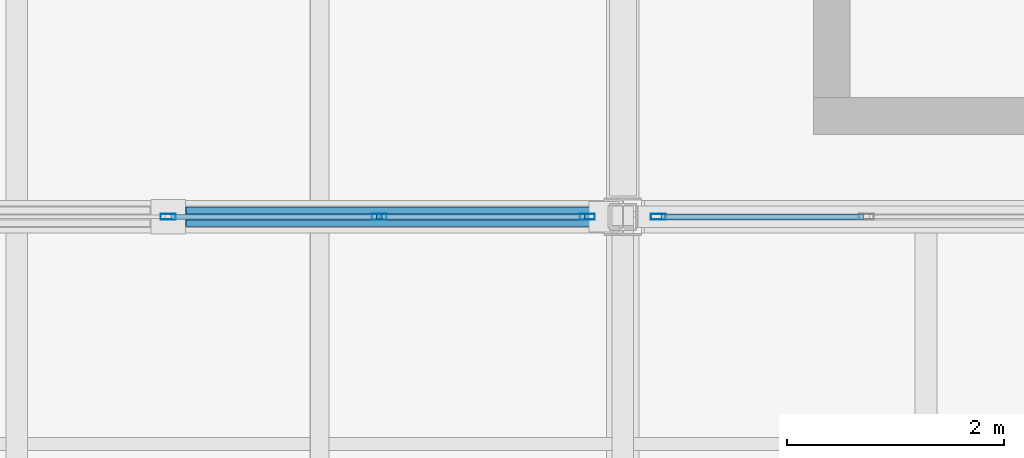
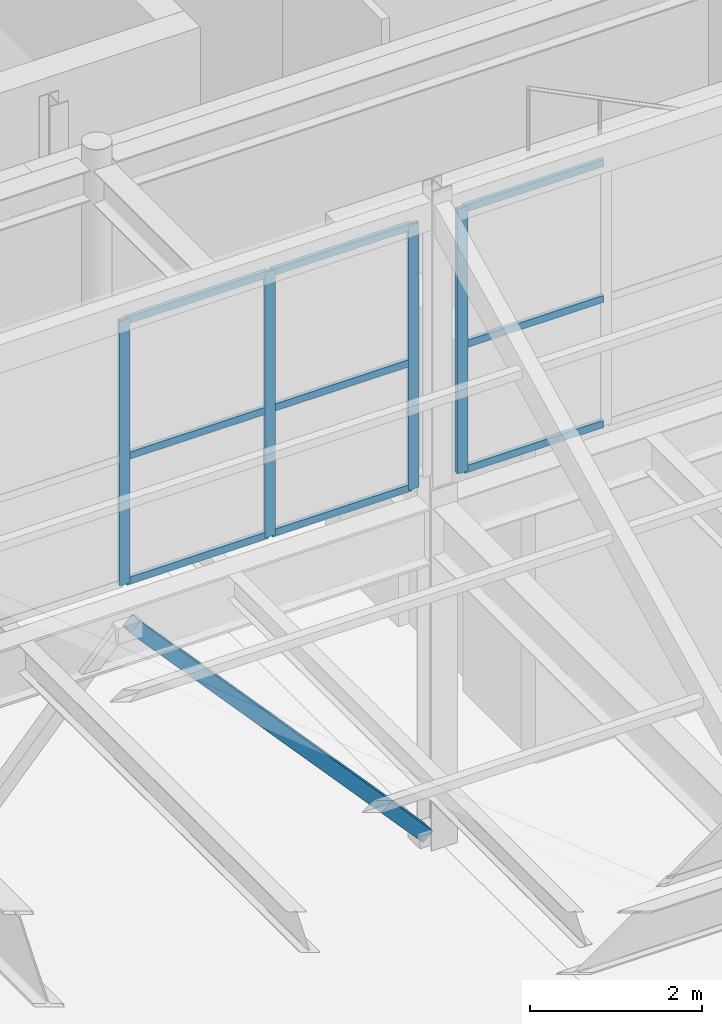
# One storey, part 34 of 91: 14 members, 2 elements without a shape of their own.
"""IFC4 building model written with IfcOpenShell, lengths in metres."""

from ifc_helpers import new_model, si_unit, direction, frame, origin, origin_2d, place, context, subcontext, project, spatial, hollow_rectangle, extrude, material, layer, layer_set, material_profile, profile_set, type_object, element, aggregate, save


model = new_model("IFC4")

# Units and contexts
model_context = context("Model", 3, precision=1e-05, world=origin(), true_north=direction((0.0, 1.0)))
body_context = subcontext(model_context, "Body", "Model", "MODEL_VIEW")
ifc_project = project(units=[si_unit("LENGTHUNIT", "METRE"), si_unit("AREAUNIT", "SQUARE_METRE"), si_unit("VOLUMEUNIT", "CUBIC_METRE"), si_unit("PLANEANGLEUNIT", "RADIAN"), si_unit("MASSUNIT", "GRAM", prefix="KILO"), si_unit("THERMODYNAMICTEMPERATUREUNIT", "KELVIN")], contexts=[model_context])

# Site, building, storey
site_placement = place(None, origin())
site = spatial("IfcSite", under=ifc_project, at=site_placement, CompositionType="ELEMENT")
building_placement = place(site_placement, origin())
building = spatial("IfcBuilding", under=site, at=building_placement, Name="Lustrewick Department Store", CompositionType="ELEMENT")
storey_placement = place(building_placement, frame((0.0, 0.0, 21.60009765625)))
storey = spatial("IfcBuildingStorey", under=building, at=storey_placement, Name="L05", CompositionType="ELEMENT", Elevation=21.60009765625)

# Member
ifc_material_1 = material(Name="Structural steel Q355B", Category="steel")
ifc_material_profile_1 = material_profile(ifc_material_1, hollow_rectangle(XDim=0.179931640625, YDim=0.179931640625, WallThickness=0.008056640625, at=origin_2d()), Name="SHS 180x180x8")
ifc_profile_set_1 = profile_set([ifc_material_profile_1], Name="Structural steel Q355B")
member_type_1 = type_object("IfcMemberType", Name="BR10", PredefinedType="BRACE", material=ifc_profile_set_1)
member_1_placement = place(storey_placement, frame((134.22802734375, 42.0, 0.14990234375), z_axis=(-0.670614222586, 0.0, 0.741806285), x_axis=(0.0, -1.0, 0.0)))
element("IfcMember", 1, at=member_1_placement, inside=storey, type_object=member_type_1, Name="L05 V3 Chevron Brace BR10", PredefinedType="BRACE", context=body_context, shape_type="SweptSolid", body=[
    extrude(hollow_rectangle(XDim=0.179931640625, YDim=0.179931640625, WallThickness=0.008056640625, at=origin_2d()), origin(), (0.0, 0.0, 1.0), 5.857177734375),
])

# Curtain wall, members
ifc_material_2 = material(Name="Thermally broken aluminium 6063-T5", Category="aluminium")
ifc_layer = layer(ifc_material_2, 0.139892578125, Name="Thermally broken aluminium 6063-T5")
ifc_layer_set = layer_set([ifc_layer], Name="Thermally broken aluminium 6063-T5")
curtain_wall_type = type_object("IfcCurtainWallType", Name="CW15", PredefinedType="NOTDEFINED", material=ifc_layer_set)
curtain_wall_1_placement = place(storey_placement, origin())
curtain_wall_1 = element("IfcCurtainWall", 2, at=curtain_wall_1_placement, inside=storey, type_object=curtain_wall_type, Name="L05 North-Light Clerestory CW15", PredefinedType="NOTDEFINED")
ifc_material_profile_2 = material_profile(ifc_material_2, hollow_rectangle(XDim=0.054931640625, YDim=0.139892578125, WallThickness=0.00341796875, at=origin_2d()), Name="ALU-M 55x140x3.5")
ifc_profile_set_2 = profile_set([ifc_material_profile_2], Name="Thermally broken aluminium 6063-T5")
member_type_2 = type_object("IfcMemberType", Name="CW15-M1", PredefinedType="MULLION", material=ifc_profile_set_2)
member_2_placement = place(storey_placement, frame((130.199951171875, 42.0, 5.099853515625), z_axis=(0.0, 0.0, 1.0), x_axis=(0.0, 1.0, 0.0)))
member_2 = element("IfcMember", 3, at=member_2_placement, type_object=member_type_2, Name="CW15 mullion 3", PredefinedType="MULLION", context=body_context, shape_type="SweptSolid", body=[
    extrude(hollow_rectangle(XDim=0.054931640625, YDim=0.139892578125, WallThickness=0.00341796875, at=origin_2d()), origin(), (0.0, 0.0, 1.0), 3.75),
])
member_3_placement = place(storey_placement, frame((132.14990234375, 42.0, 5.099853515625), z_axis=(0.0, 0.0, 1.0), x_axis=(0.0, 1.0, 0.0)))
member_3 = element("IfcMember", 4, at=member_3_placement, type_object=member_type_2, Name="CW15 mullion 4", PredefinedType="MULLION", context=body_context, shape_type="SweptSolid", body=[
    extrude(hollow_rectangle(XDim=0.054931640625, YDim=0.139892578125, WallThickness=0.00341796875, at=origin_2d()), origin(), (0.0, 0.0, 1.0), 3.75),
])
member_4_placement = place(storey_placement, frame((134.072509765625, 42.0, 5.099853515625), z_axis=(0.0, 0.0, 1.0), x_axis=(0.0, 1.0, 0.0)))
member_4 = element("IfcMember", 5, at=member_4_placement, type_object=member_type_2, Name="CW15 mullion 5", PredefinedType="MULLION", context=body_context, shape_type="SweptSolid", body=[
    extrude(hollow_rectangle(XDim=0.054931640625, YDim=0.139892578125, WallThickness=0.00341796875, at=origin_2d()), origin(), (0.0, 0.0, 1.0), 3.75),
])

# Curtain wall, member
curtain_wall_2_placement = place(storey_placement, origin())
curtain_wall_2 = element("IfcCurtainWall", 6, at=curtain_wall_2_placement, inside=storey, type_object=curtain_wall_type, Name="L05 North-Light Clerestory CW15", PredefinedType="NOTDEFINED")
member_5_placement = place(storey_placement, frame((134.7275390625, 42.0, 5.099853515625), z_axis=(0.0, 0.0, 1.0), x_axis=(0.0, 1.0, 0.0)))
member_5 = element("IfcMember", 7, at=member_5_placement, type_object=member_type_2, Name="CW15 mullion 1", PredefinedType="MULLION", context=body_context, shape_type="SweptSolid", body=[
    extrude(hollow_rectangle(XDim=0.054931640625, YDim=0.139892578125, WallThickness=0.00341796875, at=origin_2d()), origin(), (0.0, 0.0, 1.0), 3.75),
])

# Member
ifc_material_profile_3 = material_profile(ifc_material_2, hollow_rectangle(XDim=0.054931640625, YDim=0.10009765625, WallThickness=0.0029296875, at=origin_2d()), Name="ALU-T 55x100x3")
ifc_profile_set_3 = profile_set([ifc_material_profile_3], Name="Thermally broken aluminium 6063-T5")
member_type_3 = type_object("IfcMemberType", Name="CW15-T1", PredefinedType="USERDEFINED", material=ifc_profile_set_3)
member_6_placement = place(storey_placement, frame((130.2275390625, 42.0, 5.12744140625), z_axis=(1.0, 0.0, 0.0), x_axis=(0.0, 1.0, 0.0)))
member_6 = element("IfcMember", 8, at=member_6_placement, type_object=member_type_3, Name="CW15 transom 3.1", ObjectType="TRANSOM", PredefinedType="USERDEFINED", context=body_context, shape_type="SweptSolid", body=[
    extrude(hollow_rectangle(XDim=0.054931640625, YDim=0.10009765625, WallThickness=0.0029296875, at=origin_2d()), origin(), (0.0, 0.0, 1.0), 1.89501953125),
])

member_7_placement = place(storey_placement, frame((130.2275390625, 42.0, 6.89990234375), z_axis=(1.0, 0.0, 0.0), x_axis=(0.0, 1.0, 0.0)))
member_7 = element("IfcMember", 9, at=member_7_placement, type_object=member_type_3, Name="CW15 transom 3.2", ObjectType="TRANSOM", PredefinedType="USERDEFINED", context=body_context, shape_type="SweptSolid", body=[
    extrude(hollow_rectangle(XDim=0.054931640625, YDim=0.10009765625, WallThickness=0.0029296875, at=origin_2d()), origin(), (0.0, 0.0, 1.0), 1.89501953125),
])

member_8_placement = place(storey_placement, frame((130.2275390625, 42.0, 8.822509765625), z_axis=(1.0, 0.0, 0.0), x_axis=(0.0, 1.0, 0.0)))
member_8 = element("IfcMember", 10, at=member_8_placement, type_object=member_type_3, Name="CW15 transom 3.3", ObjectType="TRANSOM", PredefinedType="USERDEFINED", context=body_context, shape_type="SweptSolid", body=[
    extrude(hollow_rectangle(XDim=0.054931640625, YDim=0.10009765625, WallThickness=0.0029296875, at=origin_2d()), origin(), (0.0, 0.0, 1.0), 1.89501953125),
])

member_9_placement = place(storey_placement, frame((132.177490234375, 42.0, 5.12744140625), z_axis=(1.0, 0.0, 0.0), x_axis=(0.0, 1.0, 0.0)))
member_9 = element("IfcMember", 11, at=member_9_placement, type_object=member_type_3, Name="CW15 transom 4.1", ObjectType="TRANSOM", PredefinedType="USERDEFINED", context=body_context, shape_type="SweptSolid", body=[
    extrude(hollow_rectangle(XDim=0.054931640625, YDim=0.10009765625, WallThickness=0.0029296875, at=origin_2d()), origin(), (0.0, 0.0, 1.0), 1.867431640625),
])

member_10_placement = place(storey_placement, frame((132.177490234375, 42.0, 6.89990234375), z_axis=(1.0, 0.0, 0.0), x_axis=(0.0, 1.0, 0.0)))
member_10 = element("IfcMember", 12, at=member_10_placement, type_object=member_type_3, Name="CW15 transom 4.2", ObjectType="TRANSOM", PredefinedType="USERDEFINED", context=body_context, shape_type="SweptSolid", body=[
    extrude(hollow_rectangle(XDim=0.054931640625, YDim=0.10009765625, WallThickness=0.0029296875, at=origin_2d()), origin(), (0.0, 0.0, 1.0), 1.867431640625),
])

member_11_placement = place(storey_placement, frame((132.177490234375, 42.0, 8.822509765625), z_axis=(1.0, 0.0, 0.0), x_axis=(0.0, 1.0, 0.0)))
member_11 = element("IfcMember", 13, at=member_11_placement, type_object=member_type_3, Name="CW15 transom 4.3", ObjectType="TRANSOM", PredefinedType="USERDEFINED", context=body_context, shape_type="SweptSolid", body=[
    extrude(hollow_rectangle(XDim=0.054931640625, YDim=0.10009765625, WallThickness=0.0029296875, at=origin_2d()), origin(), (0.0, 0.0, 1.0), 1.867431640625),
])

aggregate(curtain_wall_1, [member_2, member_3, member_4, member_6, member_7, member_8, member_9, member_10, member_11])

member_12_placement = place(storey_placement, frame((134.7548828125, 42.0, 5.12744140625), z_axis=(1.0, 0.0, 0.0), x_axis=(0.0, 1.0, 0.0)))
member_12 = element("IfcMember", 14, at=member_12_placement, type_object=member_type_3, Name="CW15 transom 1.1", ObjectType="TRANSOM", PredefinedType="USERDEFINED", context=body_context, shape_type="SweptSolid", body=[
    extrude(hollow_rectangle(XDim=0.054931640625, YDim=0.10009765625, WallThickness=0.0029296875, at=origin_2d()), origin(), (0.0, 0.0, 1.0), 1.86767578125),
])

member_13_placement = place(storey_placement, frame((134.7548828125, 42.0, 6.89990234375), z_axis=(1.0, 0.0, 0.0), x_axis=(0.0, 1.0, 0.0)))
member_13 = element("IfcMember", 15, at=member_13_placement, type_object=member_type_3, Name="CW15 transom 1.2", ObjectType="TRANSOM", PredefinedType="USERDEFINED", context=body_context, shape_type="SweptSolid", body=[
    extrude(hollow_rectangle(XDim=0.054931640625, YDim=0.10009765625, WallThickness=0.0029296875, at=origin_2d()), origin(), (0.0, 0.0, 1.0), 1.86767578125),
])

member_14_placement = place(storey_placement, frame((134.7548828125, 42.0, 8.822509765625), z_axis=(1.0, 0.0, 0.0), x_axis=(0.0, 1.0, 0.0)))
member_14 = element("IfcMember", 16, at=member_14_placement, type_object=member_type_3, Name="CW15 transom 1.3", ObjectType="TRANSOM", PredefinedType="USERDEFINED", context=body_context, shape_type="SweptSolid", body=[
    extrude(hollow_rectangle(XDim=0.054931640625, YDim=0.10009765625, WallThickness=0.0029296875, at=origin_2d()), origin(), (0.0, 0.0, 1.0), 1.86767578125),
])

aggregate(curtain_wall_2, [member_5, member_12, member_13, member_14])

save(model, "model.ifc")
